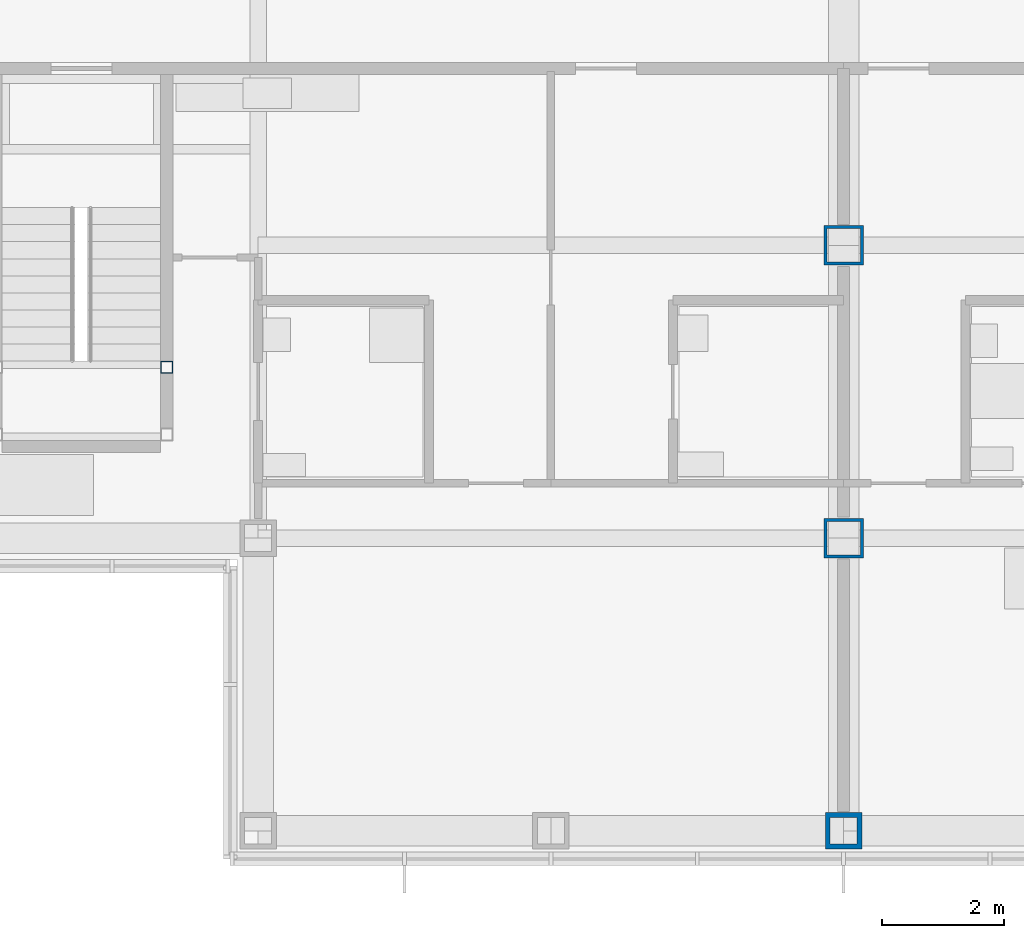
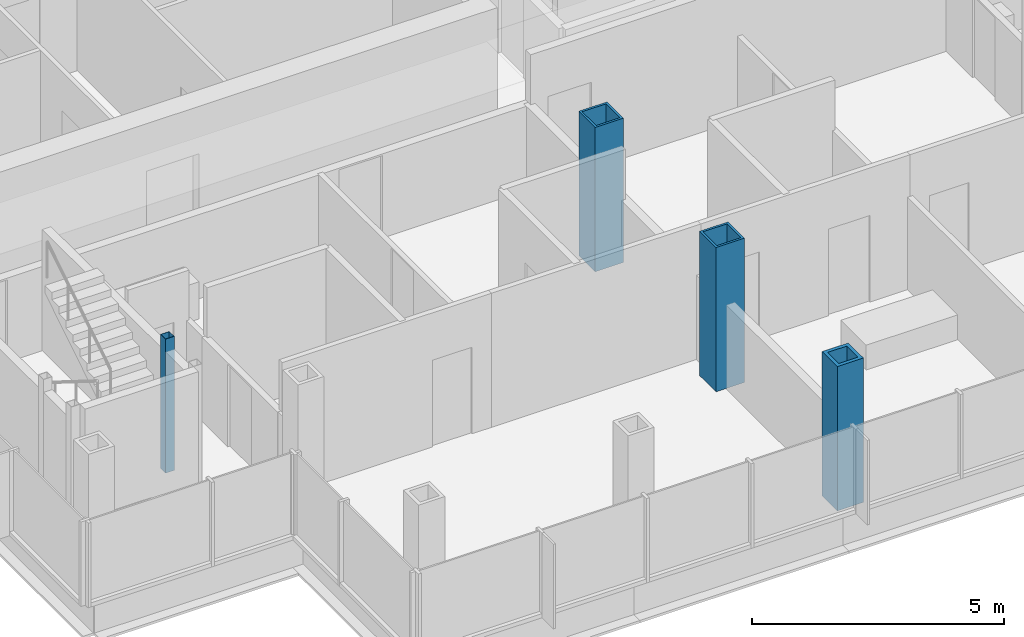
# One storey, part 2 of 20: 4 columns.
"""IFC4 building model written with IfcOpenShell, lengths in metres."""

from ifc_helpers import new_model, si_unit, direction, frame, origin, origin_2d, place, context, subcontext, project, spatial, hollow_rectangle, extrude, material, material_profile, profile_set, type_object, element, save


model = new_model("IFC4")

# Units and contexts
model_context = context("Model", 3, precision=1e-05, world=origin(), true_north=direction((0.0, 1.0)))
body_context = subcontext(model_context, "Body", "Model", "MODEL_VIEW")
ifc_project = project(units=[si_unit("LENGTHUNIT", "METRE"), si_unit("AREAUNIT", "SQUARE_METRE"), si_unit("VOLUMEUNIT", "CUBIC_METRE"), si_unit("PLANEANGLEUNIT", "RADIAN"), si_unit("MASSUNIT", "GRAM", prefix="KILO")], contexts=[model_context])

# Site, building, storey
site_placement = place(None, origin())
site = spatial("IfcSite", under=ifc_project, at=site_placement, CompositionType="ELEMENT")
building_placement = place(site_placement, origin())
building = spatial("IfcBuilding", under=site, at=building_placement, Name="Kvirike Care Tower", CompositionType="ELEMENT")
storey_placement = place(building_placement, frame((0.0, 0.0, 133.0)))
storey = spatial("IfcBuildingStorey", under=building, at=storey_placement, Name="L36", CompositionType="ELEMENT", Elevation=133.0)

# Columns
ifc_material_1 = material(Name="Steel S460", Category="steel")
ifc_material_profile_1 = material_profile(ifc_material_1, hollow_rectangle(XDim=0.60009765625, YDim=0.60009765625, WallThickness=0.080078125, at=origin_2d()), Name="BX 600x600x80")
ifc_profile_set_1 = profile_set([ifc_material_profile_1], Name="Steel S460")
column_type_1 = type_object("IfcColumnType", Name="COLUMN BX 600x600x80", PredefinedType="COLUMN", material=ifc_profile_set_1)
column_1_placement = place(storey_placement, frame((28.800048828125, 14.39990234375, 0.0), z_axis=(0.0, 0.0, 1.0), x_axis=(0.0, 1.0, 0.0)))
element("IfcColumn", 1, at=column_1_placement, inside=storey, type_object=column_type_1, Name="Column D9 L36", PredefinedType="COLUMN", context=body_context, shape_type="SweptSolid", body=[
    extrude(hollow_rectangle(XDim=0.60009765625, YDim=0.60009765625, WallThickness=0.080078125, at=origin_2d()), origin(), (0.0, 0.0, 1.0), 3.5),
])
ifc_material_2 = material(Name="Steel S460", Category="steel")
ifc_material_profile_2 = material_profile(ifc_material_2, hollow_rectangle(XDim=0.64990234375, YDim=0.64990234375, WallThickness=0.050048828125, at=origin_2d()), Name="BX 650x650x50")
ifc_profile_set_2 = profile_set([ifc_material_profile_2], Name="Steel S460")
column_type_2 = type_object("IfcColumnType", Name="COLUMN BX 650x650x50", PredefinedType="COLUMN", material=ifc_profile_set_2)
for number, where, z_axis, x_axis, name in (
    (2, (28.800048828125, 19.199951171875, 0.0), (0.0, 0.0, 1.0), (1.0, 0.0, 0.0), "Column E9 L36"),
    (3, (28.800048828125, 24.0, 0.0), (0.0, 0.0, 1.0), (1.0, 0.0, 0.0), "Column F9 L36"),
):
    element("IfcColumn", number, at=place(storey_placement, frame(where, z_axis=z_axis, x_axis=x_axis)), inside=storey, type_object=column_type_2, Name=name, PredefinedType="COLUMN", context=body_context, shape_type="SweptSolid", body=[
        extrude(hollow_rectangle(XDim=0.64990234375, YDim=0.64990234375, WallThickness=0.050048828125, at=origin_2d()), origin(), (0.0, 0.0, 1.0), 3.5),
    ])
ifc_material_3 = material(Name="Steel S460", Category="steel")
ifc_material_profile_3 = material_profile(ifc_material_3, hollow_rectangle(XDim=0.199951171875, YDim=0.199951171875, WallThickness=0.008056640625, at=origin_2d()), Name="SHS 200x200x8")
ifc_profile_set_3 = profile_set([ifc_material_profile_3], Name="Steel S460")
column_type_3 = type_object("IfcColumnType", Name="STAIR POST SHS 200x200x8", PredefinedType="COLUMN", material=ifc_profile_set_3)
column_2_placement = place(storey_placement, frame((17.699951171875, 22.0, 0.0), z_axis=(0.0, 0.0, 1.0), x_axis=(1.0, 0.0, 0.0)))
element("IfcColumn", 4, at=column_2_placement, inside=storey, type_object=column_type_3, Name="Stair 5 post 4 L36", PredefinedType="COLUMN", context=body_context, shape_type="SweptSolid", body=[
    extrude(hollow_rectangle(XDim=0.199951171875, YDim=0.199951171875, WallThickness=0.008056640625, at=origin_2d()), origin(), (0.0, 0.0, 1.0), 3.25),
])

save(model, "model.ifc")
